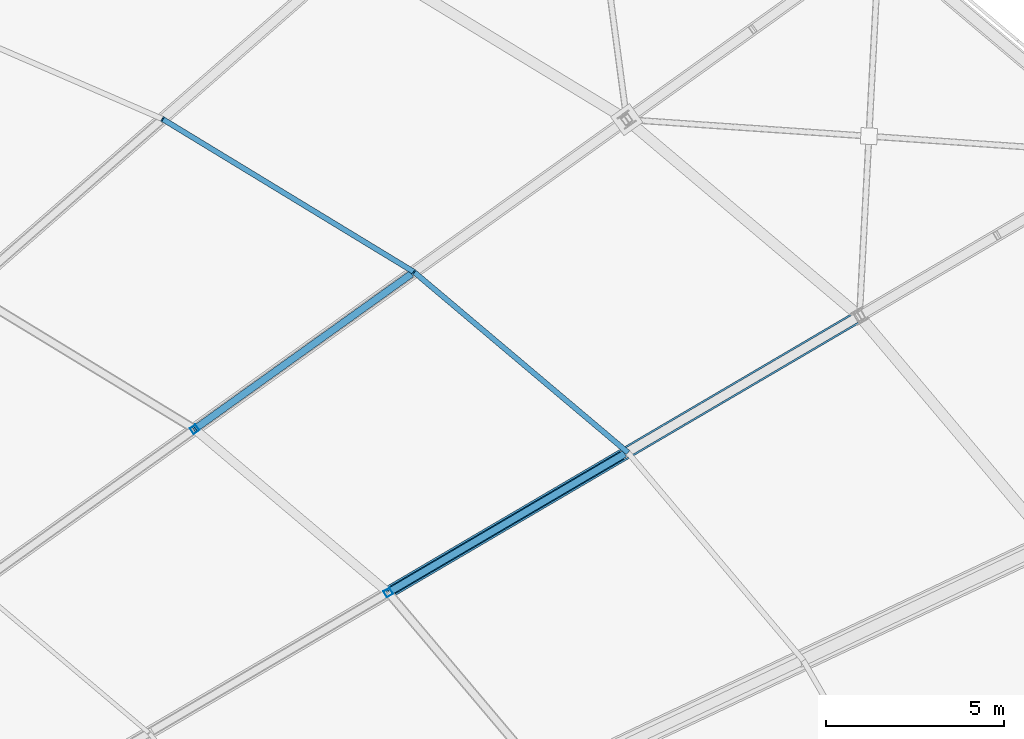
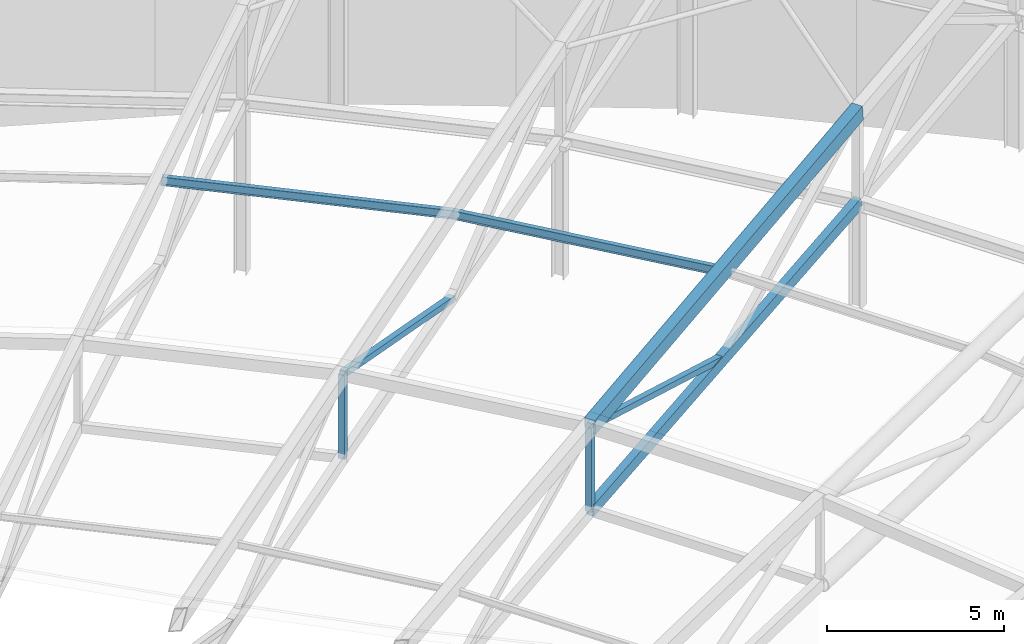
# One storey, part 82 of 143: 6 members, 2 beams.
"""IFC4 building model written with IfcOpenShell, lengths in metres."""

from ifc_helpers import new_model, si_unit, direction, frame, origin, origin_2d, place, context, subcontext, project, spatial, hollow_rectangle, i_section, extrude, material, material_profile, profile_set, type_object, element, save


model = new_model("IFC4")

# Units and contexts
model_context = context("Model", 3, precision=1e-05, world=origin(), true_north=direction((0.0, 1.0)))
body_context = subcontext(model_context, "Body", "Model", "MODEL_VIEW")
ifc_project = project(units=[si_unit("LENGTHUNIT", "METRE"), si_unit("AREAUNIT", "SQUARE_METRE"), si_unit("VOLUMEUNIT", "CUBIC_METRE"), si_unit("PLANEANGLEUNIT", "RADIAN"), si_unit("MASSUNIT", "GRAM", prefix="KILO")], contexts=[model_context])

# Site, building, storey
site_placement = place(None, origin())
site = spatial("IfcSite", under=ifc_project, at=site_placement, CompositionType="ELEMENT")
building_placement = place(site_placement, origin())
building = spatial("IfcBuilding", under=site, at=building_placement, Name="Mphavela Belvedere Stadium", CompositionType="ELEMENT")
storey_placement = place(building_placement, frame((0.0, 0.0, 28.800048828125)))
storey = spatial("IfcBuildingStorey", under=building, at=storey_placement, Name="RF", CompositionType="ELEMENT", Elevation=28.800048828125)

# Beams
ifc_material_1 = material(Name="Steel S355", Category="steel")
ifc_material_profile_1 = material_profile(ifc_material_1, hollow_rectangle(XDim=0.25, YDim=0.39990234375, WallThickness=0.01611328125, at=origin_2d()), Name="RHS 400x250x16")
ifc_profile_set_1 = profile_set([ifc_material_profile_1], Name="Steel S355")
beam_type_1 = type_object("IfcBeamType", Name="BM-TRUSS-BC2", PredefinedType="BEAM", material=ifc_profile_set_1)
beam_1_placement = place(storey_placement, frame((193.600341796875, 133.11376953125, 3.5703125), z_axis=(-0.85949913121, -0.504262531198, -0.0835496444), x_axis=(0.506031812676, -0.86251481411, 0.0)))
element("IfcBeam", 1, at=beam_1_placement, inside=storey, type_object=beam_type_1, Name="Radial roof truss RT-06 bottom chord 2", PredefinedType="BEAM", context=body_context, shape_type="SweptSolid", body=[
    extrude(hollow_rectangle(XDim=0.25, YDim=0.39990234375, WallThickness=0.01611328125, at=origin_2d()), origin(), (0.0, 0.0, 1.0), 15.3994140625),
])
ifc_material_2 = material(Name="Steel S355", Category="steel")
ifc_material_profile_2 = material_profile(ifc_material_2, hollow_rectangle(XDim=0.35009765625, YDim=0.5, WallThickness=0.02001953125, at=origin_2d()), Name="RHS 500x350x20")
ifc_profile_set_2 = profile_set([ifc_material_profile_2], Name="Steel S355")
beam_type_2 = type_object("IfcBeamType", Name="BM-TRUSS-TC2", PredefinedType="BEAM", material=ifc_profile_set_2)
beam_2_placement = place(storey_placement, frame((193.600341796875, 133.11376953125, 6.72021484375), z_axis=(-0.858222917676, -0.503513785047, -0.099635795991), x_axis=(0.506031812676, -0.86251481411, 0.0)))
element("IfcBeam", 2, at=beam_2_placement, inside=storey, type_object=beam_type_2, Name="Radial roof truss RT-06 top chord 2", PredefinedType="BEAM", context=body_context, shape_type="SweptSolid", body=[
    extrude(hollow_rectangle(XDim=0.35009765625, YDim=0.5, WallThickness=0.02001953125, at=origin_2d()), origin(), (0.0, 0.0, 1.0), 15.42236328125),
])

# Members
ifc_material_3 = material(Name="Steel S355", Category="steel")
ifc_material_profile_3 = material_profile(ifc_material_3, hollow_rectangle(XDim=0.199951171875, YDim=0.199951171875, WallThickness=0.010009765625, at=origin_2d()), Name="SHS 200x200x10")
ifc_profile_set_3 = profile_set([ifc_material_profile_3], Name="Steel S355")
member_type_1 = type_object("IfcMemberType", Name="MEM-POST-SHS200", PredefinedType="POST", material=ifc_profile_set_3)
member_1_placement = place(storey_placement, frame((180.364501953125, 125.348388671875, 2.28369140625), z_axis=(0.0, 0.0, 1.0), x_axis=(0.862513669207, 0.506033764121, 0.0)))
element("IfcMember", 3, at=member_1_placement, inside=storey, type_object=member_type_1, Name="Radial roof truss RT-06 post P3", PredefinedType="POST", context=body_context, shape_type="SweptSolid", body=[
    extrude(hollow_rectangle(XDim=0.199951171875, YDim=0.199951171875, WallThickness=0.010009765625, at=origin_2d()), origin(), (0.0, 0.0, 1.0), 2.89990234375),
])
member_2_placement = place(storey_placement, frame((186.982421875, 129.231201171875, 2.927001953125), z_axis=(-0.827464318161, -0.485483178369, 0.282150466402), x_axis=(0.506043648077, -0.862507870248, 0.0)))
element("IfcMember", 4, at=member_2_placement, inside=storey, type_object=member_type_1, Name="Radial roof truss RT-06 web diagonal D4", PredefinedType="POST", context=body_context, shape_type="SweptSolid", body=[
    extrude(hollow_rectangle(XDim=0.199951171875, YDim=0.199951171875, WallThickness=0.010009765625, at=origin_2d()), origin(), (0.0, 0.0, 1.0), 7.997802734375),
])
member_3_placement = place(storey_placement, frame((174.9267578125, 129.937255859375, 3.22412109375), z_axis=(0.0, 0.0, 1.0), x_axis=(0.812897512265, 0.582406760395, 0.0)))
element("IfcMember", 5, at=member_3_placement, inside=storey, type_object=member_type_1, Name="Radial roof truss RT-07 post P3", PredefinedType="POST", context=body_context, shape_type="SweptSolid", body=[
    extrude(hollow_rectangle(XDim=0.199951171875, YDim=0.199951171875, WallThickness=0.010009765625, at=origin_2d()), origin(), (0.0, 0.0, 1.0), 2.900146484375),
])
member_4_placement = place(storey_placement, frame((180.994140625, 134.284423828125, 3.962646484375), z_axis=(-0.78080370017, -0.559431461662, 0.278176241804), x_axis=(0.58241953096, -0.812888362542, 0.0)))
element("IfcMember", 6, at=member_4_placement, inside=storey, type_object=member_type_1, Name="Radial roof truss RT-07 web diagonal D4", PredefinedType="POST", context=body_context, shape_type="SweptSolid", body=[
    extrude(hollow_rectangle(XDim=0.199951171875, YDim=0.199951171875, WallThickness=0.010009765625, at=origin_2d()), origin(), (0.0, 0.0, 1.0), 7.770751953125),
])
ifc_material_4 = material(Name="Steel S355", Category="steel")
ifc_material_profile_4 = material_profile(ifc_material_4, i_section(OverallWidth=0.14990234375, OverallDepth=0.300048828125, WebThickness=0.007080078125, FlangeThickness=0.0107421875, at=origin_2d()), Name="IPE 300")
ifc_profile_set_4 = profile_set([ifc_material_profile_4], Name="Steel S355")
member_type_2 = type_object("IfcMemberType", Name="MEM-PURLIN-IPE300", PredefinedType="PURLIN", material=ifc_profile_set_4)
member_5_placement = place(storey_placement, frame((187.084228515625, 129.291015625, 5.773681640625), z_axis=(-0.757668666465, 0.639343665261, 0.131064371771), x_axis=(-0.64490672087, -0.764261291298, 0.0)))
element("IfcMember", 7, at=member_5_placement, inside=storey, type_object=member_type_2, Name="Saddle canopy steel purlin 06-2", PredefinedType="PURLIN", context=body_context, shape_type="SweptSolid", body=[
    extrude(i_section(OverallWidth=0.14990234375, OverallDepth=0.300048828125, WebThickness=0.007080078125, FlangeThickness=0.0107421875, at=origin_2d()), origin(), (0.0, 0.0, 1.0), 7.914794921875),
])
member_6_placement = place(storey_placement, frame((181.08740234375, 134.351318359375, 6.81103515625), z_axis=(-0.847684683893, 0.515690233048, 0.124475942382), x_axis=(-0.519732386137, -0.85432912089, 0.0)))
element("IfcMember", 8, at=member_6_placement, inside=storey, type_object=member_type_2, Name="Saddle canopy steel purlin 07-2", PredefinedType="PURLIN", context=body_context, shape_type="SweptSolid", body=[
    extrude(i_section(OverallWidth=0.14990234375, OverallDepth=0.300048828125, WebThickness=0.007080078125, FlangeThickness=0.0107421875, at=origin_2d()), origin(), (0.0, 0.0, 1.0), 8.331787109375),
])

save(model, "model.ifc")
